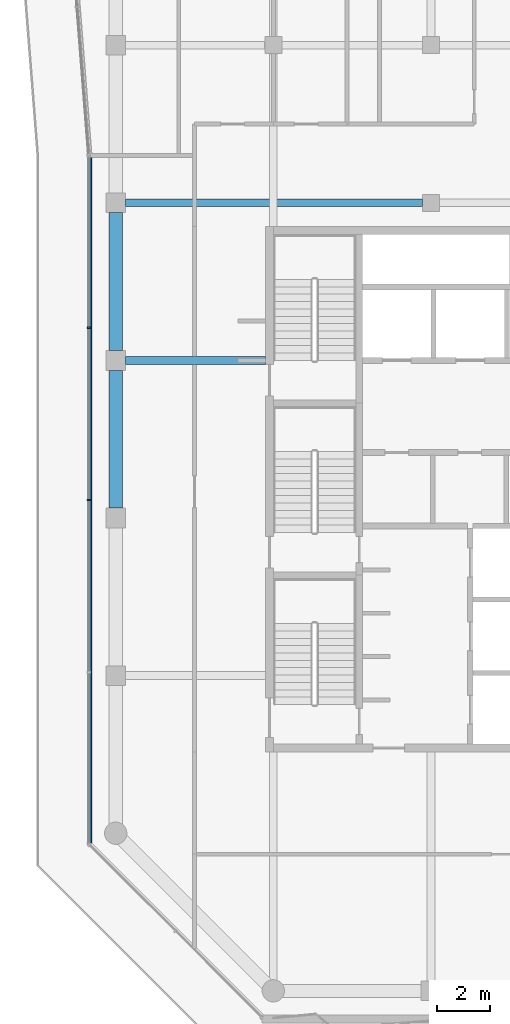
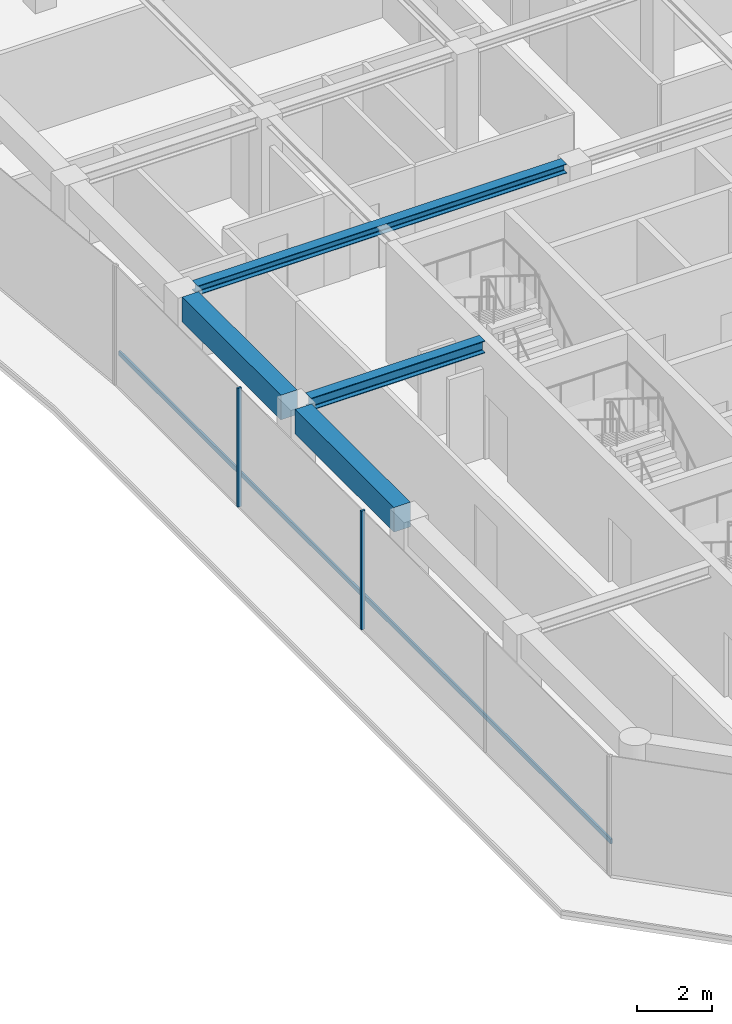
# One storey, part 4 of 23: 4 beams, 3 members, 1 element without a shape of its own.
"""IFC4 building model written with IfcOpenShell, lengths in metres."""

from ifc_helpers import new_model, si_unit, direction, frame, origin, origin_2d, place, context, subcontext, project, spatial, rectangle, i_section, extrude, material, layer, layer_set, material_profile, profile_set, type_object, element, aggregate, save


model = new_model("IFC4")

# Units and contexts
model_context = context("Model", 3, precision=1e-05, world=origin(), true_north=direction((0.0, 1.0)))
body_context = subcontext(model_context, "Body", "Model", "MODEL_VIEW")
ifc_project = project(units=[si_unit("LENGTHUNIT", "METRE"), si_unit("AREAUNIT", "SQUARE_METRE"), si_unit("VOLUMEUNIT", "CUBIC_METRE"), si_unit("PLANEANGLEUNIT", "RADIAN"), si_unit("MASSUNIT", "GRAM", prefix="KILO")], contexts=[model_context])

# Site, building, storey
site_placement = place(None, origin())
site = spatial("IfcSite", under=ifc_project, at=site_placement, CompositionType="ELEMENT")
building_placement = place(site_placement, origin())
building = spatial("IfcBuilding", under=site, at=building_placement, Name="Welwitschia Terrace Campus", CompositionType="ELEMENT")
storey_placement = place(building_placement, frame((0.0, 0.0, 306.199951171875)))
storey = spatial("IfcBuildingStorey", under=building, at=storey_placement, Name="L68", CompositionType="ELEMENT", Elevation=306.199951171875)

# Beam
ifc_material_1 = material(Name="Steel S355", Category="steel")
ifc_material_profile_1 = material_profile(ifc_material_1, i_section(OverallWidth=0.300048828125, OverallDepth=0.300048828125, WebThickness=0.010986328125, FlangeThickness=0.01904296875, FilletRadius=0.027099609375, at=origin_2d()))
ifc_profile_set_1 = profile_set([ifc_material_profile_1], Name="Steel S355")
beam_type_1 = type_object("IfcBeamType", Name="Interior girder HE 300 B", PredefinedType="BEAM", material=ifc_profile_set_1)
beam_1_placement = place(storey_placement, frame((0.365478515625, 26.0, 3.699951171875), z_axis=(1.0, 0.0, 0.0), x_axis=(0.0, 1.0, 0.0)))
element("IfcBeam", 1, at=beam_1_placement, inside=storey, type_object=beam_type_1, Name="Girder GB6", PredefinedType="BEAM", context=body_context, shape_type="SweptSolid", body=[
    extrude(i_section(OverallWidth=0.300048828125, OverallDepth=0.300048828125, WebThickness=0.010986328125, FlangeThickness=0.01904296875, FilletRadius=0.027099609375, at=origin_2d()), origin(), (0.0, 0.0, 1.0), 11.30908203125),
])

# Curtain wall, members
ifc_material_2 = material(Name="Bronze anodised aluminium", Category="aluminium")
ifc_layer = layer(ifc_material_2, 0.1201171875)
ifc_layer_set = layer_set([ifc_layer], Name="Bronze anodised aluminium")
curtain_wall_type = type_object("IfcCurtainWallType", Name="Curtain wall CW2 tower 6000", PredefinedType="NOTDEFINED", material=ifc_layer_set)
curtain_wall_placement = place(storey_placement, origin())
curtain_wall = element("IfcCurtainWall", 2, at=curtain_wall_placement, inside=storey, type_object=curtain_wall_type, Name="CW L68.0.0", PredefinedType="NOTDEFINED")
ifc_material_3 = material(Name="Bronze anodised aluminium", Category="aluminium")
ifc_material_profile_2 = material_profile(ifc_material_3, rectangle(XDim=0.1201171875, YDim=0.06005859375, at=origin_2d()))
ifc_profile_set_2 = profile_set([ifc_material_profile_2], Name="Bronze anodised aluminium")
member_type_1 = type_object("IfcMemberType", Name="Mullion 60x120", PredefinedType="MULLION", material=ifc_profile_set_2)
member_1_placement = place(storey_placement, frame((-1.030029296875, 21.242431640625, 0.0), z_axis=(0.0, 0.0, 1.0), x_axis=(1.0, 0.0, 0.0)))
member_1 = element("IfcMember", 3, at=member_1_placement, type_object=member_type_1, Name="Mullion L68.0.0.1", PredefinedType="MULLION", context=body_context, shape_type="SweptSolid", body=[
    extrude(rectangle(XDim=0.1201171875, YDim=0.06005859375, at=origin_2d()), origin(), (0.0, 0.0, 1.0), 3.85009765625),
])
member_2_placement = place(storey_placement, frame((-1.030029296875, 14.68603515625, 0.0), z_axis=(0.0, 0.0, 1.0), x_axis=(1.0, 0.0, 0.0)))
member_2 = element("IfcMember", 4, at=member_2_placement, type_object=member_type_1, Name="Mullion L68.0.0.2", PredefinedType="MULLION", context=body_context, shape_type="SweptSolid", body=[
    extrude(rectangle(XDim=0.1201171875, YDim=0.06005859375, at=origin_2d()), origin(), (0.0, 0.0, 1.0), 3.85009765625),
])

# Beams
ifc_material_4 = material(Name="Steel S355", Category="steel")
ifc_material_profile_3 = material_profile(ifc_material_4, i_section(OverallWidth=0.300048828125, OverallDepth=0.39990234375, WebThickness=0.013427734375, FlangeThickness=0.02392578125, FilletRadius=0.027099609375, at=origin_2d()))
ifc_profile_set_3 = profile_set([ifc_material_profile_3], Name="Steel S355")
beam_type_2 = type_object("IfcBeamType", Name="Primary beam HE 400 B", PredefinedType="BEAM", material=ifc_profile_set_3)
beam_2_placement = place(storey_placement, frame((0.37548828125, 20.0, 3.650146484375), z_axis=(1.0, 0.0, 0.0), x_axis=(0.0, 1.0, 0.0)))
element("IfcBeam", 5, at=beam_2_placement, inside=storey, type_object=beam_type_2, Name="Primary beam PB6", PredefinedType="BEAM", context=body_context, shape_type="SweptSolid", body=[
    extrude(i_section(OverallWidth=0.300048828125, OverallDepth=0.39990234375, WebThickness=0.013427734375, FlangeThickness=0.02392578125, FilletRadius=0.027099609375, at=origin_2d()), origin(), (0.0, 0.0, 1.0), 5.324462890625),
])
ifc_material_5 = material(Name="Concrete C50/60", Category="concrete")
ifc_material_profile_4 = material_profile(ifc_material_5, rectangle(XDim=0.5, YDim=0.800048828125, at=origin_2d()))
ifc_profile_set_4 = profile_set([ifc_material_profile_4], Name="Concrete C50/60")
beam_type_3 = type_object("IfcBeamType", Name="Ring spandrel 500x800", PredefinedType="SPANDREL", material=ifc_profile_set_4)
for number, where, z_axis, x_axis, name in (
    (6, (0.0, 25.62451171875, 3.449951171875), (0.0, -1.0, 0.0), (1.0, 0.0, 0.0), "Spandrel SP4"),
    (7, (0.0, 19.62451171875, 3.449951171875), (0.0, -1.0, 0.0), (1.0, 0.0, 0.0), "Spandrel SP4"),
):
    element("IfcBeam", number, at=place(storey_placement, frame(where, z_axis=z_axis, x_axis=x_axis)), inside=storey, type_object=beam_type_3, Name=name, PredefinedType="SPANDREL", context=body_context, shape_type="SweptSolid", body=[
        extrude(rectangle(XDim=0.5, YDim=0.800048828125, at=origin_2d()), origin(), (0.0, 0.0, 1.0), 5.2490234375),
    ])

# Member
ifc_material_6 = material(Name="Bronze anodised aluminium", Category="aluminium")
ifc_material_profile_5 = material_profile(ifc_material_6, rectangle(XDim=0.06005859375, YDim=0.14990234375, at=origin_2d()))
ifc_profile_set_5 = profile_set([ifc_material_profile_5], Name="Bronze anodised aluminium")
member_type_2 = type_object("IfcMemberType", Name="Transom 60x150", PredefinedType="USERDEFINED", material=ifc_profile_set_5)
member_3_placement = place(storey_placement, frame((-0.93994140625, 27.738525390625, 1.0), z_axis=(0.0, -1.0, 0.0), x_axis=(1.0, 0.0, 0.0)))
member_3 = element("IfcMember", 8, at=member_3_placement, type_object=member_type_2, Name="Transom L68.0.0", ObjectType="TRANSOM", PredefinedType="USERDEFINED", context=body_context, shape_type="SweptSolid", body=[
    extrude(rectangle(XDim=0.06005859375, YDim=0.14990234375, at=origin_2d()), origin(), (0.0, 0.0, 1.0), 26.105224609375),
])

aggregate(curtain_wall, [member_1, member_2, member_3])

save(model, "model.ifc")
